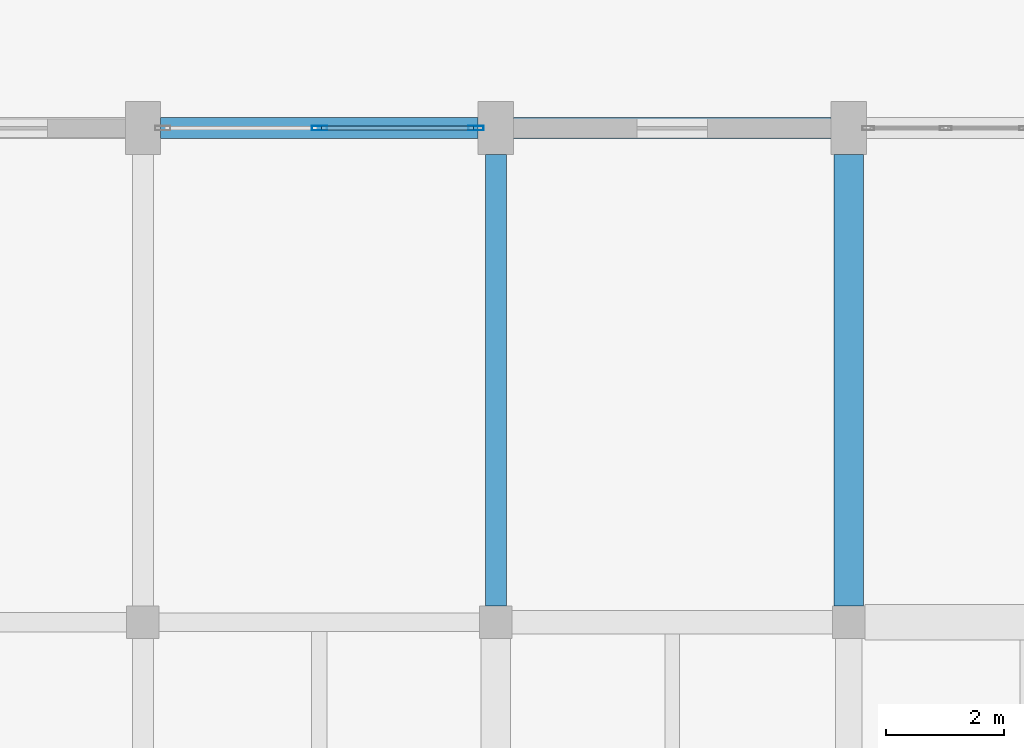
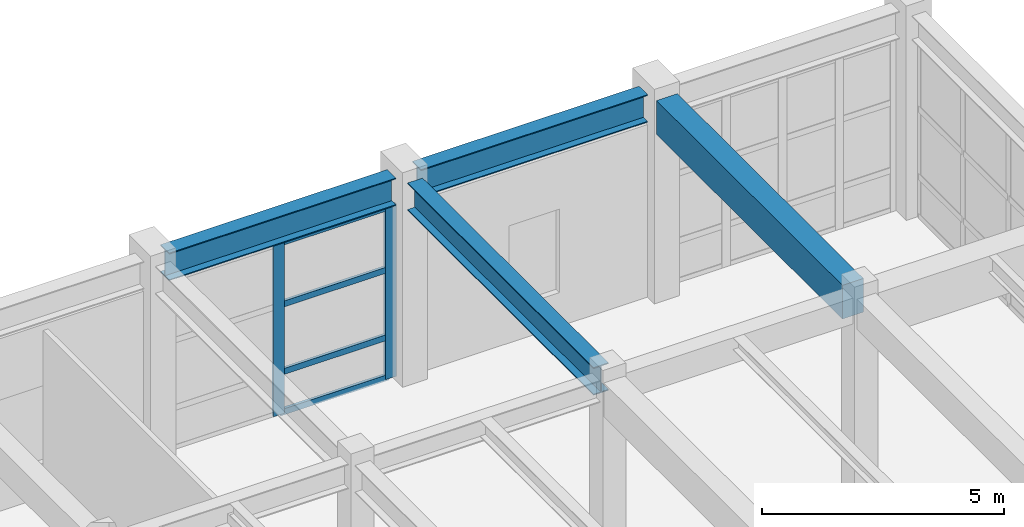
# One storey, part 41 of 91: 6 members, 4 beams, 1 element without a shape of its own.
"""IFC4 building model written with IfcOpenShell, lengths in metres."""

from ifc_helpers import new_model, si_unit, direction, frame, origin, origin_2d, place, context, subcontext, project, spatial, rectangle, hollow_rectangle, i_section, extrude, material, layer, layer_set, material_profile, profile_set, type_object, element, aggregate, save


model = new_model("IFC4")

# Units and contexts
model_context = context("Model", 3, precision=1e-05, world=origin(), true_north=direction((0.0, 1.0)))
body_context = subcontext(model_context, "Body", "Model", "MODEL_VIEW")
ifc_project = project(units=[si_unit("LENGTHUNIT", "METRE"), si_unit("AREAUNIT", "SQUARE_METRE"), si_unit("VOLUMEUNIT", "CUBIC_METRE"), si_unit("PLANEANGLEUNIT", "RADIAN"), si_unit("MASSUNIT", "GRAM", prefix="KILO")], contexts=[model_context])

# Site, building, storey
site_placement = place(None, origin())
site = spatial("IfcSite", under=ifc_project, at=site_placement, CompositionType="ELEMENT")
building_placement = place(site_placement, origin())
building = spatial("IfcBuilding", under=site, at=building_placement, Name="Vaelkrest Opera House", CompositionType="ELEMENT")
storey_placement = place(building_placement, origin())
storey = spatial("IfcBuildingStorey", under=building, at=storey_placement, Name="L00", CompositionType="ELEMENT", Elevation=0.0)

# Beams
ifc_material_1 = material(Name="Concrete C50/60", Category="concrete")
ifc_material_profile_1 = material_profile(ifc_material_1, rectangle(XDim=0.5, YDim=0.85009765625, at=origin_2d()), Name="RCB500X850")
ifc_profile_set_1 = profile_set([ifc_material_profile_1], Name="Concrete C50/60")
beam_type_1 = type_object("IfcBeamType", Name="B03", PredefinedType="BEAM", material=ifc_profile_set_1)
beam_1_placement = place(storey_placement, frame((-39.60009765625, 33.875, 4.679931640625), z_axis=(0.0, 1.0, 0.0), x_axis=(-1.0, 0.0, 0.0)))
element("IfcBeam", 1, at=beam_1_placement, inside=storey, type_object=beam_type_1, Name="Beam BM-V3-L00-1472", PredefinedType="BEAM", context=body_context, shape_type="SweptSolid", body=[
    extrude(rectangle(XDim=0.5, YDim=0.85009765625, at=origin_2d()), origin(), (0.0, 0.0, 1.0), 7.675048828125),
])
ifc_material_2 = material(Name="Steel A992 Gr50", Category="steel")
ifc_material_profile_2 = material_profile(ifc_material_2, i_section(OverallWidth=0.35498046875, OverallDepth=0.695068359375, WebThickness=0.015380859375, FlangeThickness=0.02490234375, at=origin_2d()), Name="W27X146")
ifc_profile_set_2 = profile_set([ifc_material_profile_2], Name="Steel A992 Gr50")
beam_type_2 = type_object("IfcBeamType", Name="B10", PredefinedType="BEAM", material=ifc_profile_set_2)
beam_2_placement = place(storey_placement, frame((-45.60009765625, 33.875, 4.757568359375), z_axis=(0.0, 1.0, 0.0), x_axis=(-1.0, 0.0, 0.0)))
element("IfcBeam", 2, at=beam_2_placement, inside=storey, type_object=beam_type_2, Name="Beam BM-V3-L00-1465", PredefinedType="BEAM", context=body_context, shape_type="SweptSolid", body=[
    extrude(i_section(OverallWidth=0.35498046875, OverallDepth=0.695068359375, WebThickness=0.015380859375, FlangeThickness=0.02490234375, at=origin_2d()), origin(), (0.0, 0.0, 1.0), 7.675048828125),
])

# Curtain wall, members
ifc_material_3 = material(Name="Dark bronze anodized aluminium", Category="aluminium")
ifc_layer = layer(ifc_material_3, 0.25)
ifc_layer_set = layer_set([ifc_layer], Name="Dark bronze anodized aluminium")
curtain_wall_type = type_object("IfcCurtainWallType", Name="CW08", PredefinedType="NOTDEFINED", material=ifc_layer_set)
curtain_wall_placement = place(storey_placement, origin())
curtain_wall = element("IfcCurtainWall", 3, at=curtain_wall_placement, inside=storey, type_object=curtain_wall_type, Name="Curtain wall CW-L00-094", PredefinedType="NOTDEFINED")
ifc_material_profile_3 = material_profile(ifc_material_3, hollow_rectangle(XDim=0.080078125, YDim=0.260009765625, WallThickness=0.0048828125, at=origin_2d()), Name="CWM80X260")
ifc_profile_set_3 = profile_set([ifc_material_profile_3], Name="Dark bronze anodized aluminium")
member_type_1 = type_object("IfcMemberType", Name="CWM04", PredefinedType="MULLION", material=ifc_profile_set_3)
member_1_placement = place(storey_placement, frame((-48.60009765625, 42.0, 0.0), z_axis=(0.0, 0.0, 1.0), x_axis=(0.0, 1.0, 0.0)))
member_1 = element("IfcMember", 4, at=member_1_placement, type_object=member_type_1, Name="CW08 mullion 2", PredefinedType="MULLION", context=body_context, shape_type="SweptSolid", body=[
    extrude(hollow_rectangle(XDim=0.080078125, YDim=0.260009765625, WallThickness=0.0048828125, at=origin_2d()), origin(), (0.0, 0.0, 1.0), 4.344970703125),
])
member_2_placement = place(storey_placement, frame((-45.93798828125, 42.0, 0.0), z_axis=(0.0, 0.0, 1.0), x_axis=(0.0, 1.0, 0.0)))
member_2 = element("IfcMember", 5, at=member_2_placement, type_object=member_type_1, Name="CW08 mullion 3", PredefinedType="MULLION", context=body_context, shape_type="SweptSolid", body=[
    extrude(hollow_rectangle(XDim=0.080078125, YDim=0.260009765625, WallThickness=0.0048828125, at=origin_2d()), origin(), (0.0, 0.0, 1.0), 4.344970703125),
])
ifc_material_profile_4 = material_profile(ifc_material_3, hollow_rectangle(XDim=0.070068359375, YDim=0.14990234375, WallThickness=0.004150390625, at=origin_2d()), Name="CWT70X150")
ifc_profile_set_4 = profile_set([ifc_material_profile_4], Name="Dark bronze anodized aluminium")
member_type_2 = type_object("IfcMemberType", Name="CWT02", PredefinedType="USERDEFINED", material=ifc_profile_set_4)
member_3_placement = place(storey_placement, frame((-48.56005859375, 42.0, 0.034912109375), z_axis=(1.0, 0.0, 0.0), x_axis=(0.0, 1.0, 0.0)))
member_3 = element("IfcMember", 6, at=member_3_placement, type_object=member_type_2, Name="CW08 transom 2.1", ObjectType="TRANSOM", PredefinedType="USERDEFINED", context=body_context, shape_type="SweptSolid", body=[
    extrude(hollow_rectangle(XDim=0.070068359375, YDim=0.14990234375, WallThickness=0.004150390625, at=origin_2d()), origin(), (0.0, 0.0, 1.0), 2.58203125),
])
member_4_placement = place(storey_placement, frame((-48.56005859375, 42.0, 1.050048828125), z_axis=(1.0, 0.0, 0.0), x_axis=(0.0, 1.0, 0.0)))
member_4 = element("IfcMember", 7, at=member_4_placement, type_object=member_type_2, Name="CW08 transom 2.2", ObjectType="TRANSOM", PredefinedType="USERDEFINED", context=body_context, shape_type="SweptSolid", body=[
    extrude(hollow_rectangle(XDim=0.070068359375, YDim=0.14990234375, WallThickness=0.004150390625, at=origin_2d()), origin(), (0.0, 0.0, 1.0), 2.58203125),
])
member_5_placement = place(storey_placement, frame((-48.56005859375, 42.0, 2.75), z_axis=(1.0, 0.0, 0.0), x_axis=(0.0, 1.0, 0.0)))
member_5 = element("IfcMember", 8, at=member_5_placement, type_object=member_type_2, Name="CW08 transom 2.3", ObjectType="TRANSOM", PredefinedType="USERDEFINED", context=body_context, shape_type="SweptSolid", body=[
    extrude(hollow_rectangle(XDim=0.070068359375, YDim=0.14990234375, WallThickness=0.004150390625, at=origin_2d()), origin(), (0.0, 0.0, 1.0), 2.58203125),
])
member_6_placement = place(storey_placement, frame((-48.56005859375, 42.0, 4.31005859375), z_axis=(1.0, 0.0, 0.0), x_axis=(0.0, 1.0, 0.0)))
member_6 = element("IfcMember", 9, at=member_6_placement, type_object=member_type_2, Name="CW08 transom 2.4", ObjectType="TRANSOM", PredefinedType="USERDEFINED", context=body_context, shape_type="SweptSolid", body=[
    extrude(hollow_rectangle(XDim=0.070068359375, YDim=0.14990234375, WallThickness=0.004150390625, at=origin_2d()), origin(), (0.0, 0.0, 1.0), 2.58203125),
])
aggregate(curtain_wall, [member_1, member_2, member_3, member_4, member_5, member_6])

# Beams
ifc_material_profile_5 = material_profile(ifc_material_2, i_section(OverallWidth=0.35498046875, OverallDepth=0.695068359375, WebThickness=0.015380859375, FlangeThickness=0.02490234375, at=origin_2d()), Name="W27X146")
ifc_profile_set_5 = profile_set([ifc_material_profile_5], Name="Steel A992 Gr50")
beam_type_3 = type_object("IfcBeamType", Name="SP02", PredefinedType="SPANDREL", material=ifc_profile_set_5)
for number, where, z_axis, x_axis, name in (
    (10, (-51.300048828125, 42.0, 4.757568359375), (1.0, 0.0, 0.0), (0.0, 1.0, 0.0), "Beam BM-V3-L00-1427"),
    (11, (-45.300048828125, 42.0, 4.757568359375), (1.0, 0.0, 0.0), (0.0, 1.0, 0.0), "Beam BM-V3-L00-1428"),
):
    element("IfcBeam", number, at=place(storey_placement, frame(where, z_axis=z_axis, x_axis=x_axis)), inside=storey, type_object=beam_type_3, Name=name, PredefinedType="SPANDREL", context=body_context, shape_type="SweptSolid", body=[
        extrude(i_section(OverallWidth=0.35498046875, OverallDepth=0.695068359375, WebThickness=0.015380859375, FlangeThickness=0.02490234375, at=origin_2d()), origin(), (0.0, 0.0, 1.0), 5.400146484375),
    ])

save(model, "model.ifc")
